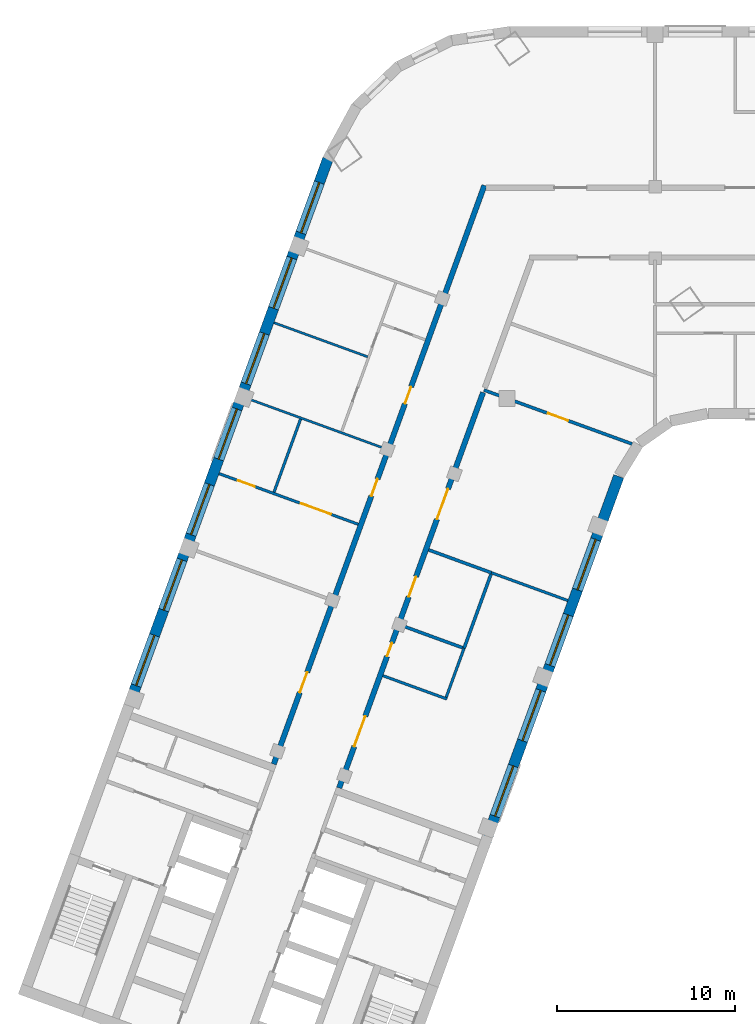
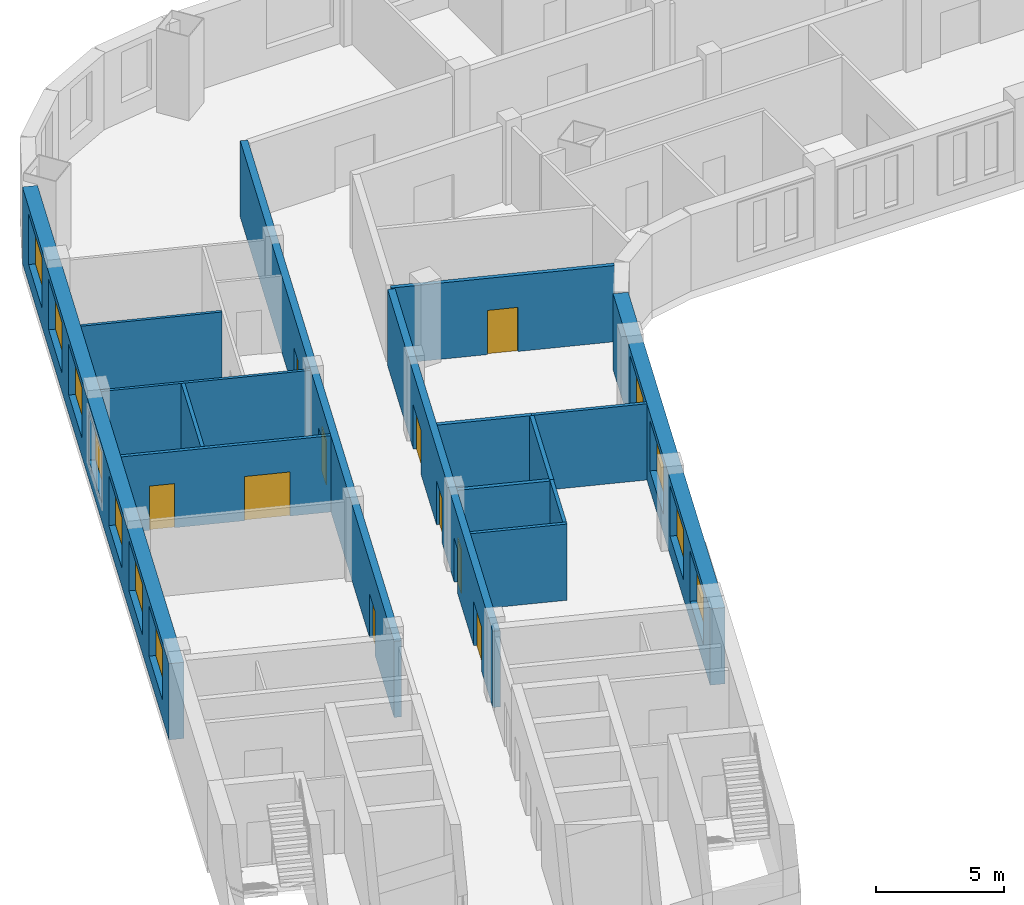
# One storey, part 3 of 12: 15 walls, 11 windows, 10 doors, 21 openings.
"""IFC4 building model written with IfcOpenShell, lengths in metres."""

from ifc_helpers import new_model, si_unit, direction, frame, frame_2d, origin, place, context, subcontext, project, spatial, rectangle, extrude, material, layer, layer_set, type_object, element, fill, save


model = new_model("IFC4")

# Units and contexts
model_context = context("Model", 3, precision=1e-05, world=origin(), true_north=direction((0.0, 1.0)))
body_context = subcontext(model_context, "Body", "Model", "MODEL_VIEW")
ifc_project = project(units=[si_unit("LENGTHUNIT", "METRE"), si_unit("AREAUNIT", "SQUARE_METRE"), si_unit("VOLUMEUNIT", "CUBIC_METRE"), si_unit("PLANEANGLEUNIT", "RADIAN"), si_unit("MASSUNIT", "GRAM", prefix="KILO")], contexts=[model_context])

# Site, building, storey
site_placement = place(None, origin())
site = spatial("IfcSite", under=ifc_project, at=site_placement, CompositionType="ELEMENT")
building_placement = place(site_placement, origin())
building = spatial("IfcBuilding", under=site, at=building_placement, Name="Skarvind Civic Tower", CompositionType="ELEMENT")
storey_placement = place(building_placement, frame((0.0, 0.0, 51.5)))
storey = spatial("IfcBuildingStorey", under=building, at=storey_placement, Name="L11", CompositionType="ELEMENT", Elevation=51.5)

# Walls
ifc_material_1 = material(Name="Acoustic gypsum board on steel studs", Category="steel")
ifc_layer_1 = layer(ifc_material_1, 0.175048828125)
ifc_layer_set_1 = layer_set([ifc_layer_1], Name="ACOUSTIC MEETING-ROOM PARTITION 175")
wall_type_1 = type_object("IfcWallType", Name="ACOUSTIC MEETING-ROOM PARTITION 175", PredefinedType="PARTITIONING", material=ifc_layer_set_1)
wall_1_placement = place(storey_placement, frame((41.56103515625, 109.6630859375, 0.0), z_axis=(0.0, 0.0, 1.0), x_axis=(0.939610777088, -0.34224492338, 0.0)))
element("IfcWall", 1, at=wall_1_placement, inside=storey, type_object=wall_type_1, Name="Partition 11.011", PredefinedType="PARTITIONING", context=body_context, shape_type="SweptSolid", body=[
    extrude(rectangle(XDim=3.749267578125, YDim=0.175048828125, at=frame_2d((1.87451171875, 0.0))), origin(), (0.0, 0.0, 1.0), 3.625),
])
wall_2_placement = place(storey_placement, frame((43.462890625, 104.180908203125, 0.0), z_axis=(0.0, 0.0, 1.0), x_axis=(-0.939655178262, 0.342122998299, 0.0)))
element("IfcWall", 2, at=wall_2_placement, inside=storey, type_object=wall_type_1, Name="Partition 11.014", PredefinedType="PARTITIONING", context=body_context, shape_type="SweptSolid", body=[
    extrude(rectangle(XDim=3.662841796875, YDim=0.175048828125, at=frame_2d((1.83154296875, 0.0))), origin(), (0.0, 0.0, 1.0), 3.625),
])

# Wall, opening, door
wall_3_placement = place(storey_placement, frame((52.965087890625, 115.597900390625, 0.0), z_axis=(0.0, 0.0, 1.0), x_axis=(-0.939650555598, 0.342135694374, 0.0)))
wall_3 = element("IfcWall", 3, at=wall_3_placement, inside=storey, type_object=wall_type_1, Name="Partition 11.017", PredefinedType="PARTITIONING", context=body_context, shape_type="SweptSolid", body=[
    extrude(rectangle(XDim=8.836181640625, YDim=0.175048828125, at=frame_2d((4.41796875, 0.0))), origin(), (0.0, 0.0, 1.0), 3.625),
])
opening_1_placement = place(wall_3_placement, frame((3.817626953125, 0.0, 0.0)))
opening_1 = element("IfcOpeningElement", 4, at=opening_1_placement, cuts=wall_3, Name="Opening L11-D026", PredefinedType="OPENING", context=body_context, shape_type="SweptSolid", body=[
    extrude(rectangle(XDim=1.199951171875, YDim=2.10009765625, at=frame_2d((0.60009765625, 1.050048828125))), frame((0.0, 0.097412109375, 0.0), z_axis=(0.0, -1.0, 0.0), x_axis=(1.0, 0.0, 0.0)), (0.0, 0.0, 1.0), 0.195068359375),
])
ifc_material_2 = material(Name="Timber door leaf", Category="wood")
door_type_1 = type_object("IfcDoorType", Name="DOOR 1200X2100 DOUBLE TIMBER", OperationType="NOTDEFINED", PredefinedType="DOOR", material=ifc_material_2)
door_1_placement = place(opening_1_placement, origin())
door_1 = element("IfcDoor", 5, at=door_1_placement, inside=storey, type_object=door_type_1, Name="Door L11-D026", OperationType="DOUBLE_DOOR_SINGLE_SWING", OverallHeight=2.10009765625, OverallWidth=1.199951171875, PredefinedType="DOOR", context=body_context, shape_type="SweptSolid", body=[
    extrude(rectangle(XDim=1.199951171875, YDim=2.10009765625, at=frame_2d((0.60009765625, 1.050048828125))), frame((0.0, 0.02490234375, 0.0), z_axis=(0.0, -1.0, 0.0), x_axis=(1.0, 0.0, 0.0)), (0.0, 0.0, 1.0), 0.050048828125),
])
fill(opening_1, door_1)

# Wall
wall_4_placement = place(storey_placement, frame((45.053955078125, 108.298095703125, 0.0), z_axis=(0.0, 0.0, 1.0), x_axis=(-0.34193405199, -0.939723951004, 0.0)))
element("IfcWall", 6, at=wall_4_placement, inside=storey, type_object=wall_type_1, Name="Partition 11.019", PredefinedType="PARTITIONING", context=body_context, shape_type="SweptSolid", body=[
    extrude(rectangle(XDim=4.413330078125, YDim=0.175048828125, at=frame_2d((2.20654296875, 0.0))), origin(), (0.0, 0.0, 1.0), 3.625),
])

# Wall, openings, doors
ifc_material_3 = material(Name="Fire-rated gypsum board on steel studs", Category="steel")
ifc_layer_2 = layer(ifc_material_3, 0.300048828125)
ifc_layer_set_2 = layer_set([ifc_layer_2], Name="CORRIDOR WALL 300")
wall_type_2 = type_object("IfcWallType", Name="CORRIDOR WALL 300", PredefinedType="PARTITIONING", material=ifc_layer_set_2)
wall_5_placement = place(storey_placement, frame((32.881103515625, 97.656982421875, 0.0), z_axis=(0.0, 0.0, 1.0), x_axis=(0.342017360004, 0.939693633828, 0.0)))
wall_5 = element("IfcWall", 7, at=wall_5_placement, inside=storey, type_object=wall_type_2, Name="Partition 11.004", PredefinedType="PARTITIONING", context=body_context, shape_type="SweptSolid", body=[
    extrude(rectangle(XDim=34.515625, YDim=0.300048828125, at=frame_2d((17.2578125, 0.0))), origin(), (0.0, 0.0, 1.0), 3.625),
])
opening_2_placement = place(wall_5_placement, frame((4.27490234375, 0.0, 0.0)))
opening_2 = element("IfcOpeningElement", 8, at=opening_2_placement, cuts=wall_5, Name="Opening L11-D011", PredefinedType="OPENING", context=body_context, shape_type="SweptSolid", body=[
    extrude(rectangle(XDim=1.199951171875, YDim=2.10009765625, at=frame_2d((0.60009765625, 1.050048828125))), frame((0.0, 0.159912109375, 0.0), z_axis=(0.0, -1.0, 0.0), x_axis=(1.0, 0.0, 0.0)), (0.0, 0.0, 1.0), 0.320068359375),
])
opening_3_placement = place(wall_5_placement, frame((16.0, 0.0, 0.0)))
opening_3 = element("IfcOpeningElement", 9, at=opening_3_placement, cuts=wall_5, Name="Opening L11-D012", PredefinedType="OPENING", context=body_context, shape_type="SweptSolid", body=[
    extrude(rectangle(XDim=1.0, YDim=2.10009765625, at=frame_2d((0.5, 1.050048828125))), frame((0.0, 0.159912109375, 0.0), z_axis=(0.0, -1.0, 0.0), x_axis=(1.0, 0.0, 0.0)), (0.0, 0.0, 1.0), 0.320068359375),
])
opening_4_placement = place(wall_5_placement, frame((21.499755859375, 0.0, 0.0)))
opening_4 = element("IfcOpeningElement", 10, at=opening_4_placement, cuts=wall_5, Name="Opening L11-D015", PredefinedType="OPENING", context=body_context, shape_type="SweptSolid", body=[
    extrude(rectangle(XDim=1.0, YDim=2.10009765625, at=frame_2d((0.5, 1.050048828125))), frame((0.0, 0.159912109375, 0.0), z_axis=(0.0, -1.0, 0.0), x_axis=(1.0, 0.0, 0.0)), (0.0, 0.0, 1.0), 0.320068359375),
])
ifc_material_4 = material(Name="Fire-rated timber door leaf", Category="wood")
door_type_2 = type_object("IfcDoorType", Name="FD1 1000x2100", OperationType="NOTDEFINED", PredefinedType="DOOR", material=ifc_material_4)
door_2_placement = place(opening_3_placement, origin())
door_2 = element("IfcDoor", 11, at=door_2_placement, inside=storey, type_object=door_type_2, Name="Door L11-D012", OperationType="SINGLE_SWING_LEFT", OverallHeight=2.10009765625, OverallWidth=1.0, PredefinedType="DOOR", context=body_context, shape_type="SweptSolid", body=[
    extrude(rectangle(XDim=1.0, YDim=2.10009765625, at=frame_2d((0.5, 1.050048828125))), frame((0.0, 0.02490234375, 0.0), z_axis=(0.0, -1.0, 0.0), x_axis=(1.0, 0.0, 0.0)), (0.0, 0.0, 1.0), 0.050048828125),
])
fill(opening_3, door_2)
door_3_placement = place(opening_4_placement, origin())
door_3 = element("IfcDoor", 12, at=door_3_placement, inside=storey, type_object=door_type_2, Name="Door L11-D015", OperationType="SINGLE_SWING_LEFT", OverallHeight=2.10009765625, OverallWidth=1.0, PredefinedType="DOOR", context=body_context, shape_type="SweptSolid", body=[
    extrude(rectangle(XDim=1.0, YDim=2.10009765625, at=frame_2d((0.5, 1.050048828125))), frame((0.0, 0.02490234375, 0.0), z_axis=(0.0, -1.0, 0.0), x_axis=(1.0, 0.0, 0.0)), (0.0, 0.0, 1.0), 0.050048828125),
])
fill(opening_4, door_3)
door_type_3 = type_object("IfcDoorType", Name="FD6 1200x2100 DOUBLE", OperationType="NOTDEFINED", PredefinedType="DOOR", material=ifc_material_4)
door_4_placement = place(opening_2_placement, origin())
door_4 = element("IfcDoor", 13, at=door_4_placement, inside=storey, type_object=door_type_3, Name="Door L11-D011", OperationType="DOUBLE_DOOR_SINGLE_SWING", OverallHeight=2.10009765625, OverallWidth=1.199951171875, PredefinedType="DOOR", context=body_context, shape_type="SweptSolid", body=[
    extrude(rectangle(XDim=1.199951171875, YDim=2.10009765625, at=frame_2d((0.60009765625, 1.050048828125))), frame((0.0, 0.02490234375, 0.0), z_axis=(0.0, -1.0, 0.0), x_axis=(1.0, 0.0, 0.0)), (0.0, 0.0, 1.0), 0.050048828125),
])
fill(opening_2, door_4)

wall_6_placement = place(storey_placement, frame((44.612060546875, 118.48291015625, 0.0), z_axis=(0.0, 0.0, 1.0), x_axis=(-0.342043123066, -0.939684256526, 0.0)))
wall_6 = element("IfcWall", 14, at=wall_6_placement, inside=storey, type_object=wall_type_2, Name="Partition 11.018", PredefinedType="PARTITIONING", context=body_context, shape_type="SweptSolid", body=[
    extrude(rectangle(XDim=23.582275390625, YDim=0.300048828125, at=frame_2d((11.791015625, 0.0))), origin(), (0.0, 0.0, 1.0), 3.625),
])
opening_5_placement = place(wall_6_placement, frame((14.932373046875, 0.0, 0.0)))
opening_5 = element("IfcOpeningElement", 15, at=opening_5_placement, cuts=wall_6, Name="Opening L11-D019", PredefinedType="OPENING", context=body_context, shape_type="SweptSolid", body=[
    extrude(rectangle(XDim=0.800048828125, YDim=2.10009765625, at=frame_2d((0.39990234375, 1.050048828125))), frame((0.0, 0.159912109375, 0.0), z_axis=(0.0, -1.0, 0.0), x_axis=(1.0, 0.0, 0.0)), (0.0, 0.0, 1.0), 0.320068359375),
])
opening_6_placement = place(wall_6_placement, frame((10.982177734375, 0.0, 0.0)))
opening_6 = element("IfcOpeningElement", 16, at=opening_6_placement, cuts=wall_6, Name="Opening L11-D020", PredefinedType="OPENING", context=body_context, shape_type="SweptSolid", body=[
    extrude(rectangle(XDim=1.199951171875, YDim=2.10009765625, at=frame_2d((0.60009765625, 1.050048828125))), frame((0.0, 0.159912109375, 0.0), z_axis=(0.0, -1.0, 0.0), x_axis=(1.0, 0.0, 0.0)), (0.0, 0.0, 1.0), 0.320068359375),
])
opening_7_placement = place(wall_6_placement, frame((19.307373046875, 0.0, 0.0)))
opening_7 = element("IfcOpeningElement", 17, at=opening_7_placement, cuts=wall_6, Name="Opening L11-D021", PredefinedType="OPENING", context=body_context, shape_type="SweptSolid", body=[
    extrude(rectangle(XDim=1.800048828125, YDim=2.10009765625, at=frame_2d((0.89990234375, 1.050048828125))), frame((0.0, 0.159912109375, 0.0), z_axis=(0.0, -1.0, 0.0), x_axis=(1.0, 0.0, 0.0)), (0.0, 0.0, 1.0), 0.320068359375),
])
opening_8_placement = place(wall_6_placement, frame((5.755859375, 0.0, 0.0)))
opening_8 = element("IfcOpeningElement", 18, at=opening_8_placement, cuts=wall_6, Name="Opening L11-D022", PredefinedType="OPENING", context=body_context, shape_type="SweptSolid", body=[
    extrude(rectangle(XDim=1.800048828125, YDim=2.10009765625, at=frame_2d((0.89990234375, 1.050048828125))), frame((0.0, 0.159912109375, 0.0), z_axis=(0.0, -1.0, 0.0), x_axis=(1.0, 0.0, 0.0)), (0.0, 0.0, 1.0), 0.320068359375),
])
door_type_4 = type_object("IfcDoorType", Name="FD4 1800x2100", OperationType="NOTDEFINED", PredefinedType="DOOR", material=ifc_material_4)
door_5_placement = place(opening_7_placement, origin())
door_5 = element("IfcDoor", 19, at=door_5_placement, inside=storey, type_object=door_type_4, Name="Door L11-D021", OperationType="DOUBLE_DOOR_SINGLE_SWING", OverallHeight=2.10009765625, OverallWidth=1.800048828125, PredefinedType="DOOR", context=body_context, shape_type="SweptSolid", body=[
    extrude(rectangle(XDim=1.800048828125, YDim=2.10009765625, at=frame_2d((0.89990234375, 1.050048828125))), frame((0.0, 0.02490234375, 0.0), z_axis=(0.0, -1.0, 0.0), x_axis=(1.0, 0.0, 0.0)), (0.0, 0.0, 1.0), 0.050048828125),
])
fill(opening_7, door_5)
door_6_placement = place(opening_8_placement, origin())
door_6 = element("IfcDoor", 20, at=door_6_placement, inside=storey, type_object=door_type_4, Name="Door L11-D022", OperationType="DOUBLE_DOOR_SINGLE_SWING", OverallHeight=2.10009765625, OverallWidth=1.800048828125, PredefinedType="DOOR", context=body_context, shape_type="SweptSolid", body=[
    extrude(rectangle(XDim=1.800048828125, YDim=2.10009765625, at=frame_2d((0.89990234375, 1.050048828125))), frame((0.0, 0.02490234375, 0.0), z_axis=(0.0, -1.0, 0.0), x_axis=(1.0, 0.0, 0.0)), (0.0, 0.0, 1.0), 0.050048828125),
])
fill(opening_8, door_6)
door_type_5 = type_object("IfcDoorType", Name="FD5 800x2100", OperationType="NOTDEFINED", PredefinedType="DOOR", material=ifc_material_4)
door_7_placement = place(opening_5_placement, origin())
door_7 = element("IfcDoor", 21, at=door_7_placement, inside=storey, type_object=door_type_5, Name="Door L11-D019", OperationType="SINGLE_SWING_LEFT", OverallHeight=2.10009765625, OverallWidth=0.800048828125, PredefinedType="DOOR", context=body_context, shape_type="SweptSolid", body=[
    extrude(rectangle(XDim=0.800048828125, YDim=2.10009765625, at=frame_2d((0.39990234375, 1.050048828125))), frame((0.0, 0.02490234375, 0.0), z_axis=(0.0, -1.0, 0.0), x_axis=(1.0, 0.0, 0.0)), (0.0, 0.0, 1.0), 0.050048828125),
])
fill(opening_5, door_7)
door_8_placement = place(opening_6_placement, origin())
door_8 = element("IfcDoor", 22, at=door_8_placement, inside=storey, type_object=door_type_3, Name="Door L11-D020", OperationType="DOUBLE_DOOR_SINGLE_SWING", OverallHeight=2.10009765625, OverallWidth=1.199951171875, PredefinedType="DOOR", context=body_context, shape_type="SweptSolid", body=[
    extrude(rectangle(XDim=1.199951171875, YDim=2.10009765625, at=frame_2d((0.60009765625, 1.050048828125))), frame((0.0, 0.02490234375, 0.0), z_axis=(0.0, -1.0, 0.0), x_axis=(1.0, 0.0, 0.0)), (0.0, 0.0, 1.0), 0.050048828125),
])
fill(opening_6, door_8)

ifc_material_5 = material(Name="Plasterboard partition on steel studs", Category="steel")
ifc_layer_3 = layer(ifc_material_5, 0.14990234375)
ifc_layer_set_3 = layer_set([ifc_layer_3], Name="PARTITION 150")
wall_type_3 = type_object("IfcWallType", Name="PARTITION 150", PredefinedType="PARTITIONING", material=ifc_layer_set_3)
wall_7_placement = place(storey_placement, frame((29.81396484375, 113.93798828125, 0.0), z_axis=(0.0, 0.0, 1.0), x_axis=(0.939697205528, -0.342007546586, 0.0)))
wall_7 = element("IfcWall", 23, at=wall_7_placement, inside=storey, type_object=wall_type_3, Name="Partition 11.002", PredefinedType="PARTITIONING", context=body_context, shape_type="SweptSolid", body=[
    extrude(rectangle(XDim=8.300537109375, YDim=0.14990234375, at=frame_2d((4.150390625, 0.0))), origin(), (0.0, 0.0, 1.0), 3.625),
])
opening_9_placement = place(wall_7_placement, frame((1.125, 0.0, 0.0)))
opening_9 = element("IfcOpeningElement", 24, at=opening_9_placement, cuts=wall_7, Name="Opening L11-D013", PredefinedType="OPENING", context=body_context, shape_type="SweptSolid", body=[
    extrude(rectangle(XDim=1.0, YDim=2.10009765625, at=frame_2d((0.5, 1.050048828125))), frame((0.0, 0.0849609375, 0.0), z_axis=(0.0, -1.0, 0.0), x_axis=(1.0, 0.0, 0.0)), (0.0, 0.0, 1.0), 0.169921875),
])
opening_10_placement = place(wall_7_placement, frame((4.884033203125, 0.0, 0.0)))
opening_10 = element("IfcOpeningElement", 25, at=opening_10_placement, cuts=wall_7, Name="Opening L11-D014", PredefinedType="OPENING", context=body_context, shape_type="SweptSolid", body=[
    extrude(rectangle(XDim=1.800048828125, YDim=2.10009765625, at=frame_2d((0.89990234375, 1.050048828125))), frame((0.0, 0.0849609375, 0.0), z_axis=(0.0, -1.0, 0.0), x_axis=(1.0, 0.0, 0.0)), (0.0, 0.0, 1.0), 0.169921875),
])
door_type_6 = type_object("IfcDoorType", Name="D1 1000x2100", OperationType="NOTDEFINED", PredefinedType="DOOR", material=ifc_material_2)
door_9_placement = place(opening_9_placement, origin())
door_9 = element("IfcDoor", 26, at=door_9_placement, inside=storey, type_object=door_type_6, Name="Door L11-D013", OperationType="SINGLE_SWING_RIGHT", OverallHeight=2.10009765625, OverallWidth=1.0, PredefinedType="DOOR", context=body_context, shape_type="SweptSolid", body=[
    extrude(rectangle(XDim=1.0, YDim=2.10009765625, at=frame_2d((0.5, 1.050048828125))), frame((0.0, 0.02490234375, 0.0), z_axis=(0.0, -1.0, 0.0), x_axis=(1.0, 0.0, 0.0)), (0.0, 0.0, 1.0), 0.050048828125),
])
fill(opening_9, door_9)
door_type_7 = type_object("IfcDoorType", Name="D4 1800x2100", OperationType="NOTDEFINED", PredefinedType="DOOR", material=ifc_material_2)
door_10_placement = place(opening_10_placement, origin())
door_10 = element("IfcDoor", 27, at=door_10_placement, inside=storey, type_object=door_type_7, Name="Door L11-D014", OperationType="DOUBLE_DOOR_SINGLE_SWING", OverallHeight=2.10009765625, OverallWidth=1.800048828125, PredefinedType="DOOR", context=body_context, shape_type="SweptSolid", body=[
    extrude(rectangle(XDim=1.800048828125, YDim=2.10009765625, at=frame_2d((0.89990234375, 1.050048828125))), frame((0.0, 0.02490234375, 0.0), z_axis=(0.0, -1.0, 0.0), x_axis=(1.0, 0.0, 0.0)), (0.0, 0.0, 1.0), 0.050048828125),
])
fill(opening_10, door_10)

# Walls
wall_8_placement = place(storey_placement, frame((34.385986328125, 116.99609375, 0.0), z_axis=(0.0, 0.0, 1.0), x_axis=(-0.341945230853, -0.939719883315, 0.0)))
element("IfcWall", 28, at=wall_8_placement, inside=storey, type_object=wall_type_3, Name="Partition 11.005", PredefinedType="PARTITIONING", context=body_context, shape_type="SweptSolid", body=[
    extrude(rectangle(XDim=4.363037109375, YDim=0.14990234375, at=frame_2d((2.181640625, 0.0))), origin(), (0.0, 0.0, 1.0), 3.625),
])
wall_9_placement = place(storey_placement, frame((42.589111328125, 101.305908203125, 0.0), z_axis=(0.0, 0.0, 1.0), x_axis=(-0.939610657605, 0.342245251415, 0.0)))
element("IfcWall", 29, at=wall_9_placement, inside=storey, type_object=wall_type_3, Name="Partition 11.013", PredefinedType="PARTITIONING", context=body_context, shape_type="SweptSolid", body=[
    extrude(rectangle(XDim=3.824951171875, YDim=0.14990234375, at=frame_2d((1.91259765625, 0.0))), origin(), (0.0, 0.0, 1.0), 3.625),
])
wall_10_placement = place(storey_placement, frame((43.544921875, 104.15087890625, 0.0), z_axis=(0.0, 0.0, 1.0), x_axis=(-0.341877092744, -0.93974467461, 0.0)))
element("IfcWall", 30, at=wall_10_placement, inside=storey, type_object=wall_type_3, Name="Partition 11.015", PredefinedType="PARTITIONING", context=body_context, shape_type="SweptSolid", body=[
    extrude(rectangle(XDim=2.925048828125, YDim=0.14990234375, at=frame_2d((1.46240234375, 0.0))), origin(), (0.0, 0.0, 1.0), 3.625),
])
wall_11_placement = place(storey_placement, frame((45.083984375, 108.3798828125, 0.0), z_axis=(0.0, 0.0, 1.0), x_axis=(0.93972604571, -0.341928295136, 0.0)))
element("IfcWall", 31, at=wall_11_placement, inside=storey, type_object=wall_type_3, Name="Partition 11.020", PredefinedType="PARTITIONING", context=body_context, shape_type="SweptSolid", body=[
    extrude(rectangle(XDim=4.55029296875, YDim=0.14990234375, at=frame_2d((2.275146484375, 0.0))), origin(), (0.0, 0.0, 1.0), 3.625),
])
ifc_material_6 = material(Name="Moisture-resistant gypsum board on steel studs", Category="steel")
ifc_layer_4 = layer(ifc_material_6, 0.125)
ifc_layer_set_4 = layer_set([ifc_layer_4], Name="WC PARTITION 125")
wall_type_4 = type_object("IfcWallType", Name="WC PARTITION 125", PredefinedType="PARTITIONING", material=ifc_layer_set_4)
wall_12_placement = place(storey_placement, frame((31.35302734375, 118.166015625, 0.0), z_axis=(0.0, 0.0, 1.0), x_axis=(0.939687752599, -0.342033518263, 0.0)))
element("IfcWall", 32, at=wall_12_placement, inside=storey, type_object=wall_type_4, Name="Partition 11.003", PredefinedType="PARTITIONING", context=body_context, shape_type="SweptSolid", body=[
    extrude(rectangle(XDim=8.30078125, YDim=0.125, at=frame_2d((4.150390625, 0.0))), origin(), (0.0, 0.0, 1.0), 3.625),
])
wall_13_placement = place(storey_placement, frame((38.14306640625, 120.48388671875, 0.0), z_axis=(0.0, 0.0, 1.0), x_axis=(-0.939696437289, 0.342009657388, 0.0)))
element("IfcWall", 33, at=wall_13_placement, inside=storey, type_object=wall_type_4, Name="Partition 11.009", PredefinedType="PARTITIONING", context=body_context, shape_type="SweptSolid", body=[
    extrude(rectangle(XDim=5.587890625, YDim=0.125, at=frame_2d((2.7939453125, 0.0))), origin(), (0.0, 0.0, 1.0), 3.625),
])

# Wall, openings, windows
ifc_material_7 = material(Name="Limestone masonry cladding on insulated backing", Category="masonry")
ifc_layer_5 = layer(ifc_material_7, 0.60009765625)
ifc_layer_set_5 = layer_set([ifc_layer_5], Name="WX1 STONE FACADE WALL 600")
wall_type_5 = type_object("IfcWallType", Name="WX1 STONE FACADE WALL 600", PredefinedType="SOLIDWALL", material=ifc_layer_set_5)
wall_14_placement = place(storey_placement, frame((52.212158203125, 113.78271484375, 0.0), z_axis=(0.0, 0.0, 1.0), x_axis=(-0.34202521188, -0.939690775968, 0.0)))
wall_14 = element("IfcWall", 34, at=wall_14_placement, inside=storey, type_object=wall_type_5, Name="STONE FACADE WALL", PredefinedType="SOLIDWALL", context=body_context, shape_type="SweptSolid", body=[
    extrude(rectangle(XDim=21.744873046875, YDim=0.60009765625, at=frame_2d((10.87255859375, 0.0))), origin(), (0.0, 0.0, 1.0), 3.625),
])
opening_11_placement = place(wall_14_placement, frame((3.764892578125, 0.0, 0.89990234375)))
opening_11 = element("IfcOpeningElement", 35, at=opening_11_placement, cuts=wall_14, Name="Opening WN1", PredefinedType="OPENING", context=body_context, shape_type="SweptSolid", body=[
    extrude(rectangle(XDim=3.0, YDim=2.39990234375, at=frame_2d((1.5, 1.199951171875))), frame((0.0, 0.31005859375, 0.0), z_axis=(0.0, -1.0, 0.0), x_axis=(1.0, 0.0, 0.0)), (0.0, 0.0, 1.0), 0.6201171875),
])
opening_12_placement = place(wall_14_placement, frame((8.264892578125, 0.0, 0.89990234375)))
opening_12 = element("IfcOpeningElement", 36, at=opening_12_placement, cuts=wall_14, Name="Opening WN1", PredefinedType="OPENING", context=body_context, shape_type="SweptSolid", body=[
    extrude(rectangle(XDim=3.0, YDim=2.39990234375, at=frame_2d((1.5, 1.199951171875))), frame((0.0, 0.31005859375, 0.0), z_axis=(0.0, -1.0, 0.0), x_axis=(1.0, 0.0, 0.0)), (0.0, 0.0, 1.0), 0.6201171875),
])
opening_13_placement = place(wall_14_placement, frame((12.764892578125, 0.0, 0.89990234375)))
opening_13 = element("IfcOpeningElement", 37, at=opening_13_placement, cuts=wall_14, Name="Opening WN1", PredefinedType="OPENING", context=body_context, shape_type="SweptSolid", body=[
    extrude(rectangle(XDim=3.0, YDim=2.39990234375, at=frame_2d((1.5, 1.199951171875))), frame((0.0, 0.31005859375, 0.0), z_axis=(0.0, -1.0, 0.0), x_axis=(1.0, 0.0, 0.0)), (0.0, 0.0, 1.0), 0.6201171875),
])
opening_14_placement = place(wall_14_placement, frame((17.264892578125, 0.0, 0.89990234375)))
opening_14 = element("IfcOpeningElement", 38, at=opening_14_placement, cuts=wall_14, Name="Opening WN1", PredefinedType="OPENING", context=body_context, shape_type="SweptSolid", body=[
    extrude(rectangle(XDim=3.0, YDim=2.39990234375, at=frame_2d((1.5, 1.199951171875))), frame((0.0, 0.31005859375, 0.0), z_axis=(0.0, -1.0, 0.0), x_axis=(1.0, 0.0, 0.0)), (0.0, 0.0, 1.0), 0.6201171875),
])
ifc_material_8 = material(Name="Timber frame, double glazing, timber-lined reveal", Category="wood")
window_type = type_object("IfcWindowType", Name="WN1 PUNCHED STONE WINDOW 3000 x 2400", PartitioningType="SINGLE_PANEL", PredefinedType="WINDOW", material=ifc_material_8)
window_1_placement = place(opening_11_placement, origin())
window_1 = element("IfcWindow", 39, at=window_1_placement, inside=storey, type_object=window_type, Name="WN1 WINDOW", OverallHeight=2.39990234375, OverallWidth=3.0, PartitioningType="SINGLE_PANEL", PredefinedType="WINDOW", context=body_context, shape_type="SweptSolid", body=[
    extrude(rectangle(XDim=3.0, YDim=2.39990234375, at=frame_2d((1.5, 1.199951171875))), frame((0.0, 0.030029296875, 0.0), z_axis=(0.0, -1.0, 0.0), x_axis=(1.0, 0.0, 0.0)), (0.0, 0.0, 1.0), 0.06005859375),
])
fill(opening_11, window_1)
window_2_placement = place(opening_12_placement, origin())
window_2 = element("IfcWindow", 40, at=window_2_placement, inside=storey, type_object=window_type, Name="WN1 WINDOW", OverallHeight=2.39990234375, OverallWidth=3.0, PartitioningType="SINGLE_PANEL", PredefinedType="WINDOW", context=body_context, shape_type="SweptSolid", body=[
    extrude(rectangle(XDim=3.0, YDim=2.39990234375, at=frame_2d((1.5, 1.199951171875))), frame((0.0, 0.030029296875, 0.0), z_axis=(0.0, -1.0, 0.0), x_axis=(1.0, 0.0, 0.0)), (0.0, 0.0, 1.0), 0.06005859375),
])
fill(opening_12, window_2)
window_3_placement = place(opening_13_placement, origin())
window_3 = element("IfcWindow", 41, at=window_3_placement, inside=storey, type_object=window_type, Name="WN1 WINDOW", OverallHeight=2.39990234375, OverallWidth=3.0, PartitioningType="SINGLE_PANEL", PredefinedType="WINDOW", context=body_context, shape_type="SweptSolid", body=[
    extrude(rectangle(XDim=3.0, YDim=2.39990234375, at=frame_2d((1.5, 1.199951171875))), frame((0.0, 0.030029296875, 0.0), z_axis=(0.0, -1.0, 0.0), x_axis=(1.0, 0.0, 0.0)), (0.0, 0.0, 1.0), 0.06005859375),
])
fill(opening_13, window_3)
window_4_placement = place(opening_14_placement, origin())
window_4 = element("IfcWindow", 42, at=window_4_placement, inside=storey, type_object=window_type, Name="WN1 WINDOW", OverallHeight=2.39990234375, OverallWidth=3.0, PartitioningType="SINGLE_PANEL", PredefinedType="WINDOW", context=body_context, shape_type="SweptSolid", body=[
    extrude(rectangle(XDim=3.0, YDim=2.39990234375, at=frame_2d((1.5, 1.199951171875))), frame((0.0, 0.030029296875, 0.0), z_axis=(0.0, -1.0, 0.0), x_axis=(1.0, 0.0, 0.0)), (0.0, 0.0, 1.0), 0.06005859375),
])
fill(opening_14, window_4)

wall_15_placement = place(storey_placement, frame((24.66552734375, 100.668701171875, 0.0), z_axis=(0.0, 0.0, 1.0), x_axis=(0.34201964167, 0.939692803373, 0.0)))
wall_15 = element("IfcWall", 43, at=wall_15_placement, inside=storey, type_object=wall_type_5, Name="STONE FACADE WALL", PredefinedType="SOLIDWALL", context=body_context, shape_type="SweptSolid", body=[
    extrude(rectangle(XDim=32.88427734375, YDim=0.60009765625, at=frame_2d((16.442138671875, 0.0))), origin(), (0.0, 0.0, 1.0), 3.625),
])
opening_15_placement = place(wall_15_placement, frame((1.47998046875, 0.0, 0.89990234375)))
opening_15 = element("IfcOpeningElement", 44, at=opening_15_placement, cuts=wall_15, Name="Opening WN1", PredefinedType="OPENING", context=body_context, shape_type="SweptSolid", body=[
    extrude(rectangle(XDim=3.0, YDim=2.39990234375, at=frame_2d((1.5, 1.199951171875))), frame((0.0, 0.31005859375, 0.0), z_axis=(0.0, -1.0, 0.0), x_axis=(1.0, 0.0, 0.0)), (0.0, 0.0, 1.0), 0.6201171875),
])
opening_16_placement = place(wall_15_placement, frame((5.97998046875, 0.0, 0.89990234375)))
opening_16 = element("IfcOpeningElement", 45, at=opening_16_placement, cuts=wall_15, Name="Opening WN1", PredefinedType="OPENING", context=body_context, shape_type="SweptSolid", body=[
    extrude(rectangle(XDim=3.0, YDim=2.39990234375, at=frame_2d((1.5, 1.199951171875))), frame((0.0, 0.31005859375, 0.0), z_axis=(0.0, -1.0, 0.0), x_axis=(1.0, 0.0, 0.0)), (0.0, 0.0, 1.0), 0.6201171875),
])
opening_17_placement = place(wall_15_placement, frame((10.47998046875, 0.0, 0.89990234375)))
opening_17 = element("IfcOpeningElement", 46, at=opening_17_placement, cuts=wall_15, Name="Opening WN1", PredefinedType="OPENING", context=body_context, shape_type="SweptSolid", body=[
    extrude(rectangle(XDim=3.0, YDim=2.39990234375, at=frame_2d((1.5, 1.199951171875))), frame((0.0, 0.31005859375, 0.0), z_axis=(0.0, -1.0, 0.0), x_axis=(1.0, 0.0, 0.0)), (0.0, 0.0, 1.0), 0.6201171875),
])
opening_18_placement = place(wall_15_placement, frame((14.97998046875, 0.0, 0.89990234375)))
opening_18 = element("IfcOpeningElement", 47, at=opening_18_placement, cuts=wall_15, Name="Opening WN1", PredefinedType="OPENING", context=body_context, shape_type="SweptSolid", body=[
    extrude(rectangle(XDim=3.0, YDim=2.39990234375, at=frame_2d((1.5, 1.199951171875))), frame((0.0, 0.31005859375, 0.0), z_axis=(0.0, -1.0, 0.0), x_axis=(1.0, 0.0, 0.0)), (0.0, 0.0, 1.0), 0.6201171875),
])
opening_19_placement = place(wall_15_placement, frame((19.47998046875, 0.0, 0.89990234375)))
opening_19 = element("IfcOpeningElement", 48, at=opening_19_placement, cuts=wall_15, Name="Opening WN1", PredefinedType="OPENING", context=body_context, shape_type="SweptSolid", body=[
    extrude(rectangle(XDim=3.0, YDim=2.39990234375, at=frame_2d((1.5, 1.199951171875))), frame((0.0, 0.31005859375, 0.0), z_axis=(0.0, -1.0, 0.0), x_axis=(1.0, 0.0, 0.0)), (0.0, 0.0, 1.0), 0.6201171875),
])
opening_20_placement = place(wall_15_placement, frame((23.97998046875, 0.0, 0.89990234375)))
opening_20 = element("IfcOpeningElement", 49, at=opening_20_placement, cuts=wall_15, Name="Opening WN1", PredefinedType="OPENING", context=body_context, shape_type="SweptSolid", body=[
    extrude(rectangle(XDim=3.0, YDim=2.39990234375, at=frame_2d((1.5, 1.199951171875))), frame((0.0, 0.31005859375, 0.0), z_axis=(0.0, -1.0, 0.0), x_axis=(1.0, 0.0, 0.0)), (0.0, 0.0, 1.0), 0.6201171875),
])
opening_21_placement = place(wall_15_placement, frame((28.47998046875, 0.0, 0.89990234375)))
opening_21 = element("IfcOpeningElement", 50, at=opening_21_placement, cuts=wall_15, Name="Opening WN1", PredefinedType="OPENING", context=body_context, shape_type="SweptSolid", body=[
    extrude(rectangle(XDim=3.0, YDim=2.39990234375, at=frame_2d((1.5, 1.199951171875))), frame((0.0, 0.31005859375, 0.0), z_axis=(0.0, -1.0, 0.0), x_axis=(1.0, 0.0, 0.0)), (0.0, 0.0, 1.0), 0.6201171875),
])
window_5_placement = place(opening_15_placement, origin())
window_5 = element("IfcWindow", 51, at=window_5_placement, inside=storey, type_object=window_type, Name="WN1 WINDOW", OverallHeight=2.39990234375, OverallWidth=3.0, PartitioningType="SINGLE_PANEL", PredefinedType="WINDOW", context=body_context, shape_type="SweptSolid", body=[
    extrude(rectangle(XDim=3.0, YDim=2.39990234375, at=frame_2d((1.5, 1.199951171875))), frame((0.0, 0.030029296875, 0.0), z_axis=(0.0, -1.0, 0.0), x_axis=(1.0, 0.0, 0.0)), (0.0, 0.0, 1.0), 0.06005859375),
])
fill(opening_15, window_5)
window_6_placement = place(opening_16_placement, origin())
window_6 = element("IfcWindow", 52, at=window_6_placement, inside=storey, type_object=window_type, Name="WN1 WINDOW", OverallHeight=2.39990234375, OverallWidth=3.0, PartitioningType="SINGLE_PANEL", PredefinedType="WINDOW", context=body_context, shape_type="SweptSolid", body=[
    extrude(rectangle(XDim=3.0, YDim=2.39990234375, at=frame_2d((1.5, 1.199951171875))), frame((0.0, 0.030029296875, 0.0), z_axis=(0.0, -1.0, 0.0), x_axis=(1.0, 0.0, 0.0)), (0.0, 0.0, 1.0), 0.06005859375),
])
fill(opening_16, window_6)
window_7_placement = place(opening_17_placement, origin())
window_7 = element("IfcWindow", 53, at=window_7_placement, inside=storey, type_object=window_type, Name="WN1 WINDOW", OverallHeight=2.39990234375, OverallWidth=3.0, PartitioningType="SINGLE_PANEL", PredefinedType="WINDOW", context=body_context, shape_type="SweptSolid", body=[
    extrude(rectangle(XDim=3.0, YDim=2.39990234375, at=frame_2d((1.5, 1.199951171875))), frame((0.0, 0.030029296875, 0.0), z_axis=(0.0, -1.0, 0.0), x_axis=(1.0, 0.0, 0.0)), (0.0, 0.0, 1.0), 0.06005859375),
])
fill(opening_17, window_7)
window_8_placement = place(opening_18_placement, origin())
window_8 = element("IfcWindow", 54, at=window_8_placement, inside=storey, type_object=window_type, Name="WN1 WINDOW", OverallHeight=2.39990234375, OverallWidth=3.0, PartitioningType="SINGLE_PANEL", PredefinedType="WINDOW", context=body_context, shape_type="SweptSolid", body=[
    extrude(rectangle(XDim=3.0, YDim=2.39990234375, at=frame_2d((1.5, 1.199951171875))), frame((0.0, 0.030029296875, 0.0), z_axis=(0.0, -1.0, 0.0), x_axis=(1.0, 0.0, 0.0)), (0.0, 0.0, 1.0), 0.06005859375),
])
fill(opening_18, window_8)
window_9_placement = place(opening_19_placement, origin())
window_9 = element("IfcWindow", 55, at=window_9_placement, inside=storey, type_object=window_type, Name="WN1 WINDOW", OverallHeight=2.39990234375, OverallWidth=3.0, PartitioningType="SINGLE_PANEL", PredefinedType="WINDOW", context=body_context, shape_type="SweptSolid", body=[
    extrude(rectangle(XDim=3.0, YDim=2.39990234375, at=frame_2d((1.5, 1.199951171875))), frame((0.0, 0.030029296875, 0.0), z_axis=(0.0, -1.0, 0.0), x_axis=(1.0, 0.0, 0.0)), (0.0, 0.0, 1.0), 0.06005859375),
])
fill(opening_19, window_9)
window_10_placement = place(opening_20_placement, origin())
window_10 = element("IfcWindow", 56, at=window_10_placement, inside=storey, type_object=window_type, Name="WN1 WINDOW", OverallHeight=2.39990234375, OverallWidth=3.0, PartitioningType="SINGLE_PANEL", PredefinedType="WINDOW", context=body_context, shape_type="SweptSolid", body=[
    extrude(rectangle(XDim=3.0, YDim=2.39990234375, at=frame_2d((1.5, 1.199951171875))), frame((0.0, 0.030029296875, 0.0), z_axis=(0.0, -1.0, 0.0), x_axis=(1.0, 0.0, 0.0)), (0.0, 0.0, 1.0), 0.06005859375),
])
fill(opening_20, window_10)
window_11_placement = place(opening_21_placement, origin())
window_11 = element("IfcWindow", 57, at=window_11_placement, inside=storey, type_object=window_type, Name="WN1 WINDOW", OverallHeight=2.39990234375, OverallWidth=3.0, PartitioningType="SINGLE_PANEL", PredefinedType="WINDOW", context=body_context, shape_type="SweptSolid", body=[
    extrude(rectangle(XDim=3.0, YDim=2.39990234375, at=frame_2d((1.5, 1.199951171875))), frame((0.0, 0.030029296875, 0.0), z_axis=(0.0, -1.0, 0.0), x_axis=(1.0, 0.0, 0.0)), (0.0, 0.0, 1.0), 0.06005859375),
])
fill(opening_21, window_11)

save(model, "model.ifc")
